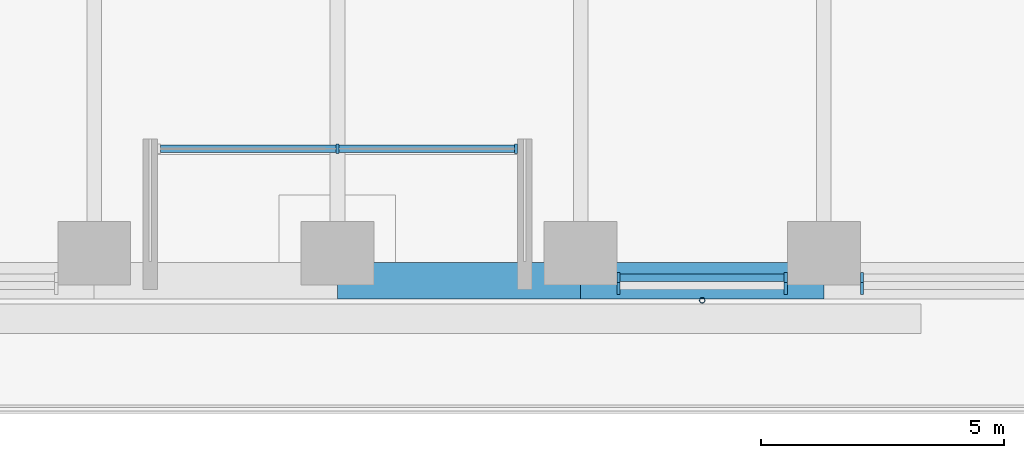
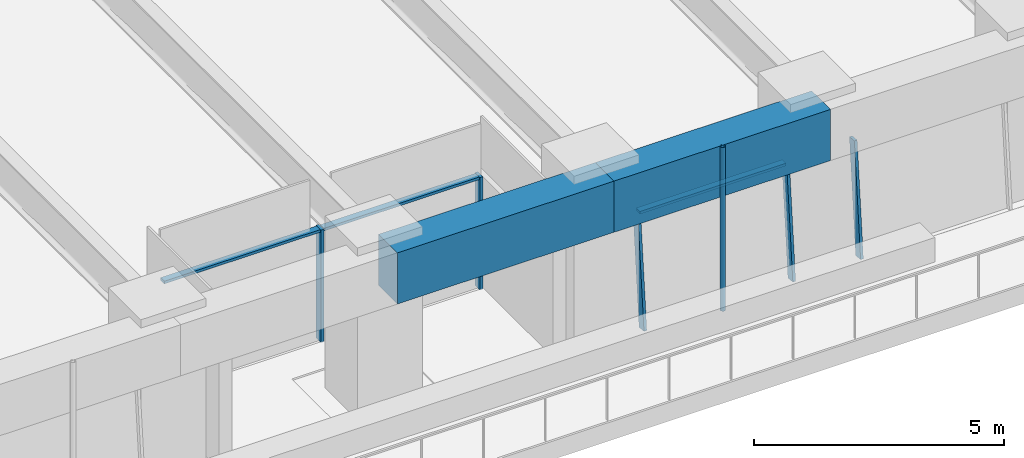
# One storey, part 4 of 24: 8 members, 2 beams, 3 elements without a shape of their own.
"""IFC4 building model written with IfcOpenShell, lengths in metres."""

from ifc_helpers import new_model, si_unit, direction, frame, origin, origin_2d, place, context, subcontext, project, spatial, rectangle, hollow_circle, extrude, material, material_profile, profile_set, type_object, element, aggregate, save


model = new_model("IFC4")

# Units and contexts
model_context = context("Model", 3, precision=1e-05, world=origin(), true_north=direction((0.0, 1.0)))
body_context = subcontext(model_context, "Body", "Model", "MODEL_VIEW")
ifc_project = project(units=[si_unit("LENGTHUNIT", "METRE"), si_unit("AREAUNIT", "SQUARE_METRE"), si_unit("VOLUMEUNIT", "CUBIC_METRE"), si_unit("PLANEANGLEUNIT", "RADIAN"), si_unit("MASSUNIT", "GRAM", prefix="KILO")], contexts=[model_context])

# Site, building, storey
site_placement = place(None, origin())
site = spatial("IfcSite", under=ifc_project, at=site_placement, CompositionType="ELEMENT")
building_placement = place(site_placement, origin())
building = spatial("IfcBuilding", under=site, at=building_placement, Name="Tarfa Lantern Tower", CompositionType="ELEMENT")
storey_placement = place(building_placement, frame((0.0, 0.0, 186.699951171875)))
storey = spatial("IfcBuildingStorey", under=building, at=storey_placement, Name="L42", CompositionType="ELEMENT", Elevation=186.699951171875)

# Curtain wall, members
ifc_material_1 = material(Name="Aluminium framed curtain wall", Category="aluminium")
curtain_wall_type_1 = type_object("IfcCurtainWallType", Name="CW2 CANTED GLAZING MID ZONE 2750", PredefinedType="USERDEFINED", material=ifc_material_1)
curtain_wall_1_placement = place(storey_placement, origin())
curtain_wall_1 = element("IfcCurtainWall", 1, at=curtain_wall_1_placement, inside=storey, type_object=curtain_wall_type_1, Name="CW2 SB L42", ObjectType="CURTAIN WALL", PredefinedType="USERDEFINED")
ifc_material_2 = material(Name="Aluminium mullion", Category="aluminium")
ifc_material_profile_1 = material_profile(ifc_material_2, rectangle(XDim=0.06494140625, YDim=0.199951171875, at=origin_2d()), Name="AL MULLION 65x200")
ifc_profile_set_1 = profile_set([ifc_material_profile_1], Name="Aluminium mullion")
member_type_1 = type_object("IfcMemberType", Name="CWM1 MULLION 65x200", PredefinedType="MULLION", material=ifc_profile_set_1)
member_1_placement = place(storey_placement, frame((5.7861328125, -31.39990234375, 0.0), z_axis=(0.0, 0.090535746043, 0.995893206468), x_axis=(-1.0, 0.0, 0.0)))
member_1 = element("IfcMember", 2, at=member_1_placement, type_object=member_type_1, Name="CW2 mullion 1", PredefinedType="MULLION", context=body_context, shape_type="SweptSolid", body=[
    extrude(rectangle(XDim=0.06494140625, YDim=0.199951171875, at=origin_2d()), origin(), (0.0, 0.0, 1.0), 2.76123046875),
])
member_2_placement = place(storey_placement, frame((9.224853515625, -31.39990234375, 0.0), z_axis=(0.0, 0.090535746043, 0.995893206468), x_axis=(-1.0, 0.0, 0.0)))
member_2 = element("IfcMember", 3, at=member_2_placement, type_object=member_type_1, Name="CW2 mullion 2", PredefinedType="MULLION", context=body_context, shape_type="SweptSolid", body=[
    extrude(rectangle(XDim=0.06494140625, YDim=0.199951171875, at=origin_2d()), origin(), (0.0, 0.0, 1.0), 2.76123046875),
])

# Curtain wall, member
curtain_wall_2_placement = place(storey_placement, origin())
curtain_wall_2 = element("IfcCurtainWall", 4, at=curtain_wall_2_placement, inside=storey, type_object=curtain_wall_type_1, Name="CW2 SB L42", ObjectType="CURTAIN WALL", PredefinedType="USERDEFINED")
member_3_placement = place(storey_placement, frame((10.789794921875, -31.39990234375, 0.0), z_axis=(0.0, 0.090535746043, 0.995893206468), x_axis=(-1.0, 0.0, 0.0)))
member_3 = element("IfcMember", 5, at=member_3_placement, type_object=member_type_1, Name="CW2 mullion 1", PredefinedType="MULLION", context=body_context, shape_type="SweptSolid", body=[
    extrude(rectangle(XDim=0.06494140625, YDim=0.199951171875, at=origin_2d()), origin(), (0.0, 0.0, 1.0), 2.76123046875),
])
aggregate(curtain_wall_2, [member_3])

# Curtain wall, members
curtain_wall_type_2 = type_object("IfcCurtainWallType", Name="CW10 LOGGIA GLAZING 2750", PredefinedType="USERDEFINED", material=ifc_material_1)
curtain_wall_3_placement = place(storey_placement, origin())
curtain_wall_3 = element("IfcCurtainWall", 6, at=curtain_wall_3_placement, inside=storey, type_object=curtain_wall_type_2, Name="CW10 SL L42", ObjectType="CURTAIN WALL", PredefinedType="USERDEFINED")
member_4_placement = place(storey_placement, frame((0.0, -28.5, 0.0), z_axis=(0.0, 0.0, 1.0), x_axis=(1.0, 0.0, 0.0)))
member_4 = element("IfcMember", 7, at=member_4_placement, type_object=member_type_1, Name="CW10 mullion 2", PredefinedType="MULLION", context=body_context, shape_type="SweptSolid", body=[
    extrude(rectangle(XDim=0.06494140625, YDim=0.199951171875, at=origin_2d()), origin(), (0.0, 0.0, 1.0), 2.75),
])
member_5_placement = place(storey_placement, frame((3.671142578125, -28.5, 0.0), z_axis=(0.0, 0.0, 1.0), x_axis=(1.0, 0.0, 0.0)))
member_5 = element("IfcMember", 8, at=member_5_placement, type_object=member_type_1, Name="CW10 mullion 3", PredefinedType="MULLION", context=body_context, shape_type="SweptSolid", body=[
    extrude(rectangle(XDim=0.06494140625, YDim=0.199951171875, at=origin_2d()), origin(), (0.0, 0.0, 1.0), 2.75),
])

# Member
ifc_material_3 = material(Name="Aluminium transom", Category="aluminium")
ifc_material_profile_2 = material_profile(ifc_material_3, rectangle(XDim=0.14990234375, YDim=0.06494140625, at=origin_2d()), Name="AL TRANSOM 150x65")
ifc_profile_set_2 = profile_set([ifc_material_profile_2], Name="Aluminium transom")
member_type_2 = type_object("IfcMemberType", Name="CWT1 TRANSOM 150x65", PredefinedType="USERDEFINED", material=ifc_profile_set_2)
member_6_placement = place(storey_placement, frame((5.818603515625, -31.153076171875, 2.717529296875), z_axis=(1.0, 0.0, 0.0), x_axis=(0.0, 1.0, 0.0)))
member_6 = element("IfcMember", 9, at=member_6_placement, type_object=member_type_2, Name="CW2 transom 1.2", ObjectType="TRANSOM", PredefinedType="USERDEFINED", context=body_context, shape_type="SweptSolid", body=[
    extrude(rectangle(XDim=0.14990234375, YDim=0.06494140625, at=origin_2d()), origin(), (0.0, 0.0, 1.0), 3.373779296875),
])

aggregate(curtain_wall_1, [member_1, member_2, member_6])

member_7_placement = place(storey_placement, frame((-3.638671875, -28.5, 2.717529296875), z_axis=(1.0, 0.0, 0.0), x_axis=(0.0, 1.0, 0.0)))
member_7 = element("IfcMember", 10, at=member_7_placement, type_object=member_type_2, Name="CW10 transom 1.2", ObjectType="TRANSOM", PredefinedType="USERDEFINED", context=body_context, shape_type="SweptSolid", body=[
    extrude(rectangle(XDim=0.14990234375, YDim=0.06494140625, at=origin_2d()), origin(), (0.0, 0.0, 1.0), 7.27734375),
])

aggregate(curtain_wall_3, [member_4, member_5, member_7])

# Beams
ifc_material_4 = material(Name="Concrete C80/95", Category="concrete")
ifc_material_profile_3 = material_profile(ifc_material_4, rectangle(XDim=0.75, YDim=1.25, at=origin_2d()), Name="RC 750x1250")
ifc_profile_set_3 = profile_set([ifc_material_profile_3], Name="Concrete C80/95")
beam_type = type_object("IfcBeamType", Name="EB2 RC 750x1250", PredefinedType="SPANDREL", material=ifc_profile_set_3)
for number, where, z_axis, x_axis, name in (
    (11, (0.0, -31.219970703125, 3.375), (1.0, 0.0, 0.0), (0.0, 1.0, 0.0), "Edge beam S3"),
    (12, (5.003662109375, -31.219970703125, 3.375), (1.0, 0.0, 0.0), (0.0, 1.0, 0.0), "Edge beam S4"),
):
    element("IfcBeam", number, at=place(storey_placement, frame(where, z_axis=z_axis, x_axis=x_axis)), inside=storey, type_object=beam_type, Name=name, PredefinedType="SPANDREL", context=body_context, shape_type="SweptSolid", body=[
        extrude(rectangle(XDim=0.75, YDim=1.25, at=origin_2d()), origin(), (0.0, 0.0, 1.0), 5.003662109375),
    ])

# Member
ifc_material_5 = material(Name="Steel S355", Category="steel")
ifc_material_profile_4 = material_profile(ifc_material_5, hollow_circle(Radius=0.05712890625, WallThickness=0.00634765625, at=origin_2d()), Name="CHS114.3x6.3")
ifc_profile_set_4 = profile_set([ifc_material_profile_4], Name="Steel S355")
member_type_3 = type_object("IfcMemberType", Name="TR1 GREEN WALL TRELLIS CHS114.3x6.3", PredefinedType="USERDEFINED", material=ifc_profile_set_4)
member_8_placement = place(storey_placement, frame((7.505615234375, -31.6201171875, 0.0), z_axis=(0.0, 0.0, 1.0), x_axis=(1.0, 0.0, 0.0)))
element("IfcMember", 13, at=member_8_placement, inside=storey, type_object=member_type_3, Name="Trellis post S 2", ObjectType="TRELLIS", PredefinedType="USERDEFINED", context=body_context, shape_type="SweptSolid", body=[
    extrude(hollow_circle(Radius=0.05712890625, WallThickness=0.00634765625, at=origin_2d()), origin(), (0.0, 0.0, 1.0), 4.0),
])

save(model, "model.ifc")
